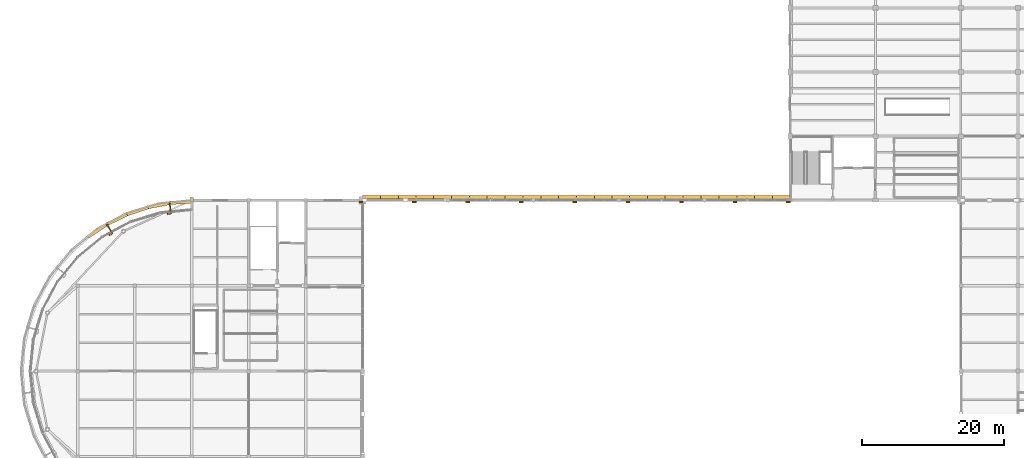
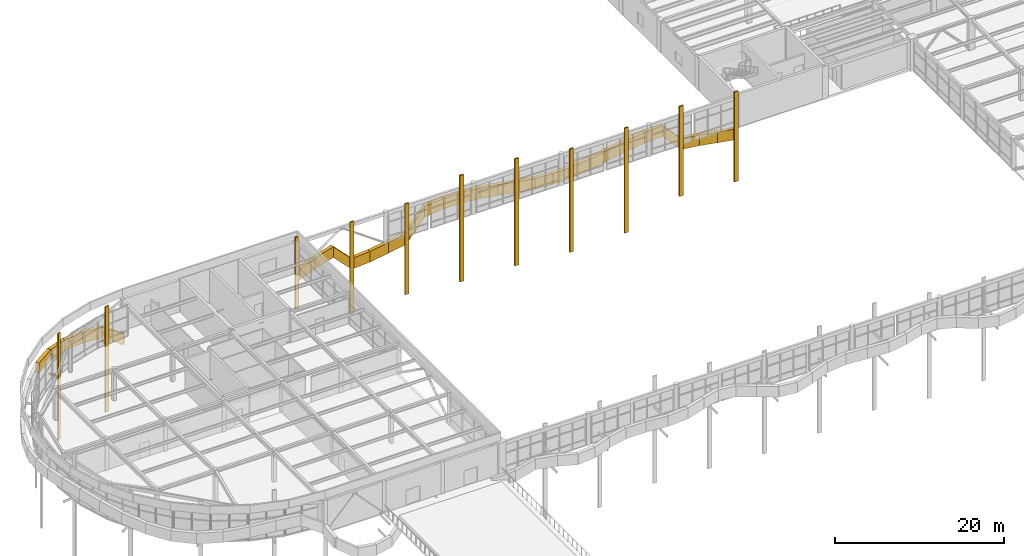
# One storey, part 54 of 63: 45 coverings.
"""IFC4 building model written with IfcOpenShell, lengths in metres."""

from ifc_helpers import new_model, si_unit, direction, frame, frame_2d, origin, place, context, subcontext, project, spatial, polyline, rectangle, outline, extrude, material, layer, layer_set, type_object, element, save


model = new_model("IFC4")

# Units and contexts
model_context = context("Model", 3, precision=1e-05, world=origin(), true_north=direction((0.0, 1.0)))
body_context = subcontext(model_context, "Body", "Model", "MODEL_VIEW")
ifc_project = project(units=[si_unit("LENGTHUNIT", "METRE"), si_unit("AREAUNIT", "SQUARE_METRE"), si_unit("VOLUMEUNIT", "CUBIC_METRE"), si_unit("PLANEANGLEUNIT", "RADIAN"), si_unit("MASSUNIT", "GRAM", prefix="KILO")], contexts=[model_context])

# Site, building, storey
site_placement = place(None, origin())
site = spatial("IfcSite", under=ifc_project, at=site_placement, CompositionType="ELEMENT")
building_placement = place(site_placement, origin())
building = spatial("IfcBuilding", under=site, at=building_placement, Name="Keelwater Ferry Terminal", CompositionType="ELEMENT")
storey_placement = place(building_placement, frame((0.0, 0.0, 10.199951171875)))
storey = spatial("IfcBuildingStorey", under=building, at=storey_placement, Name="L02", CompositionType="ELEMENT", Elevation=10.199951171875)

# Coverings
ifc_material = material(Name="Matte white architectural aluminium fascia ribbon", Category="aluminium")
ifc_layer = layer(ifc_material, 0.1201171875)
ifc_layer_set = layer_set([ifc_layer], Name="Matte white architectural aluminium fascia ribbon")
covering_type = type_object("IfcCoveringType", Name="RB-WHT Matte White Fascia Ribbon", PredefinedType="CLADDING", material=ifc_layer_set)
covering_1_placement = place(storey_placement, frame((108.02490234375, 90.419921875, -2.016845703125), z_axis=(0.0, 0.0, 1.0), x_axis=(-1.0, 0.0, 0.0)))
element("IfcCovering", 1, at=covering_1_placement, inside=storey, type_object=covering_type, Name="Concourse Upper Wave Fascia Ribbon 3", PredefinedType="CLADDING", context=body_context, shape_type="SweptSolid", body=[
    extrude(outline(polyline([(0.0, 0.0), (2.5498046875, 0.432861328125), (2.5498046875, 1.98291015625), (0.0, 1.5498046875), (0.0, 0.0)])), frame((0.0, 0.239990234375, 0.0), z_axis=(0.0, -1.0, 0.0), x_axis=(1.0, 0.0, 0.0)), (0.0, 0.0, 1.0), 0.47998046875),
])
covering_2_placement = place(storey_placement, frame((108.02490234375, 89.75, -7.6728515625), z_axis=(0.0, 0.0, 1.0), x_axis=(-1.0, 0.0, 0.0)))
element("IfcCovering", 2, at=covering_2_placement, inside=storey, type_object=covering_type, Name="Ribbon Recessed Support Mullion 11", PredefinedType="CLADDING", context=body_context, shape_type="SweptSolid", body=[
    extrude(outline(polyline([(0.0, 0.0), (0.52978515625, 0.0), (0.52978515625, 13.011962890625), (0.0, 13.011962890625), (0.0, 0.0)])), frame((0.0, 0.10009765625, 0.0), z_axis=(0.0, -1.0, 0.0), x_axis=(1.0, 0.0, 0.0)), (0.0, 0.0, 1.0), 0.199951171875),
])
covering_3_placement = place(storey_placement, frame((105.52490234375, 90.419921875, -1.583984375), z_axis=(0.0, 0.0, 1.0), x_axis=(-1.0, 0.0, 0.0)))
element("IfcCovering", 3, at=covering_3_placement, inside=storey, type_object=covering_type, Name="Concourse Upper Wave Fascia Ribbon 14", PredefinedType="CLADDING", context=body_context, shape_type="SweptSolid", body=[
    extrude(outline(polyline([(0.0, 0.0), (2.5498046875, 0.447021484375), (2.5498046875, 1.9970703125), (0.0, 1.550048828125), (0.0, 0.0)])), frame((0.0, 0.239990234375, 0.0), z_axis=(0.0, -1.0, 0.0), x_axis=(1.0, 0.0, 0.0)), (0.0, 0.0, 1.0), 0.47998046875),
])
covering_4_placement = place(storey_placement, frame((103.02490234375, 90.419921875, -1.136962890625), z_axis=(0.0, 0.0, 1.0), x_axis=(-1.0, 0.0, 0.0)))
element("IfcCovering", 4, at=covering_4_placement, inside=storey, type_object=covering_type, Name="Concourse Upper Wave Fascia Ribbon 18", PredefinedType="CLADDING", context=body_context, shape_type="SweptSolid", body=[
    extrude(outline(polyline([(0.0, 0.0), (2.5498046875, 0.3310546875), (2.5498046875, 1.881103515625), (0.0, 1.550048828125), (0.0, 0.0)])), frame((0.0, 0.239990234375, 0.0), z_axis=(0.0, -1.0, 0.0), x_axis=(1.0, 0.0, 0.0)), (0.0, 0.0, 1.0), 0.47998046875),
])
covering_5_placement = place(storey_placement, frame((100.52490234375, 90.419921875, -0.805908203125), z_axis=(0.0, 0.0, 1.0), x_axis=(-1.0, 0.0, 0.0)))
element("IfcCovering", 5, at=covering_5_placement, inside=storey, type_object=covering_type, Name="Concourse Upper Wave Fascia Ribbon 22", PredefinedType="CLADDING", context=body_context, shape_type="SweptSolid", body=[
    extrude(outline(polyline([(0.0, 0.0), (2.5498046875, 2.781005859375), (2.5498046875, 4.3310546875), (0.0, 1.550048828125), (0.0, 0.0)])), frame((0.0, 0.239990234375, 0.0), z_axis=(0.0, -1.0, 0.0), x_axis=(1.0, 0.0, 0.0)), (0.0, 0.0, 1.0), 0.47998046875),
])
covering_6_placement = place(storey_placement, frame((100.52490234375, 89.75, -7.136962890625), z_axis=(0.0, 0.0, 1.0), x_axis=(-1.0, 0.0, 0.0)))
element("IfcCovering", 6, at=covering_6_placement, inside=storey, type_object=covering_type, Name="Ribbon Recessed Support Mullion 30", PredefinedType="CLADDING", context=body_context, shape_type="SweptSolid", body=[
    extrude(outline(polyline([(0.0, 0.0), (0.52978515625, 0.0), (0.52978515625, 13.01806640625), (0.0, 13.01806640625), (0.0, 0.0)])), frame((0.0, 0.10009765625, 0.0), z_axis=(0.0, -1.0, 0.0), x_axis=(1.0, 0.0, 0.0)), (0.0, 0.0, 1.0), 0.199951171875),
])
covering_7_placement = place(storey_placement, frame((98.02490234375, 90.419921875, 1.84716796875), z_axis=(0.0, 0.0, 1.0), x_axis=(-1.0, 0.0, 0.0)))
element("IfcCovering", 7, at=covering_7_placement, inside=storey, type_object=covering_type, Name="Concourse Upper Wave Fascia Ribbon 33", PredefinedType="CLADDING", context=body_context, shape_type="SweptSolid", body=[
    extrude(outline(polyline([(0.0, 0.1279296875), (2.5498046875, 0.0), (2.5498046875, 1.5498046875), (0.0, 1.677978515625), (0.0, 0.1279296875)])), frame((0.0, 0.239990234375, 0.0), z_axis=(0.0, -1.0, 0.0), x_axis=(1.0, 0.0, 0.0)), (0.0, 0.0, 1.0), 0.47998046875),
])
covering_8_placement = place(storey_placement, frame((95.52490234375, 90.419921875, 1.509033203125), z_axis=(0.0, 0.0, 1.0), x_axis=(-1.0, 0.0, 0.0)))
element("IfcCovering", 8, at=covering_8_placement, inside=storey, type_object=covering_type, Name="Concourse Upper Wave Fascia Ribbon 37", PredefinedType="CLADDING", context=body_context, shape_type="SweptSolid", body=[
    extrude(outline(polyline([(0.0, 0.338134765625), (2.5498046875, 0.0), (2.5498046875, 1.550048828125), (0.0, 1.887939453125), (0.0, 0.338134765625)])), frame((0.0, 0.239990234375, 0.0), z_axis=(0.0, -1.0, 0.0), x_axis=(1.0, 0.0, 0.0)), (0.0, 0.0, 1.0), 0.47998046875),
])
covering_9_placement = place(storey_placement, frame((93.02490234375, 90.419921875, 1.06005859375), z_axis=(0.0, 0.0, 1.0), x_axis=(-1.0, 0.0, 0.0)))
element("IfcCovering", 9, at=covering_9_placement, inside=storey, type_object=covering_type, Name="Concourse Upper Wave Fascia Ribbon 41", PredefinedType="CLADDING", context=body_context, shape_type="SweptSolid", body=[
    extrude(outline(polyline([(0.0, 0.448974609375), (2.5498046875, 0.0), (2.5498046875, 1.550048828125), (0.0, 1.9990234375), (0.0, 0.448974609375)])), frame((0.0, 0.239990234375, 0.0), z_axis=(0.0, -1.0, 0.0), x_axis=(1.0, 0.0, 0.0)), (0.0, 0.0, 1.0), 0.47998046875),
])
covering_10_placement = place(storey_placement, frame((93.02490234375, 89.75, -9.802001953125), z_axis=(0.0, 0.0, 1.0), x_axis=(-1.0, 0.0, 0.0)))
element("IfcCovering", 10, at=covering_10_placement, inside=storey, type_object=covering_type, Name="Ribbon Recessed Support Mullion 49", PredefinedType="CLADDING", context=body_context, shape_type="SweptSolid", body=[
    extrude(outline(polyline([(0.0, 0.0), (0.52978515625, 0.0), (0.52978515625, 15.172119140625), (0.0, 15.172119140625), (0.0, 0.0)])), frame((0.0, 0.10009765625, 0.0), z_axis=(0.0, -1.0, 0.0), x_axis=(1.0, 0.0, 0.0)), (0.0, 0.0, 1.0), 0.199951171875),
])
covering_11_placement = place(storey_placement, frame((90.52490234375, 90.419921875, 0.630126953125), z_axis=(0.0, 0.0, 1.0), x_axis=(-1.0, 0.0, 0.0)))
element("IfcCovering", 11, at=covering_11_placement, inside=storey, type_object=covering_type, Name="Concourse Upper Wave Fascia Ribbon 52", PredefinedType="CLADDING", context=body_context, shape_type="SweptSolid", body=[
    extrude(outline(polyline([(0.0, 0.429931640625), (2.5498046875, 0.0), (2.5498046875, 1.5498046875), (0.0, 1.97998046875), (0.0, 0.429931640625)])), frame((0.0, 0.239990234375, 0.0), z_axis=(0.0, -1.0, 0.0), x_axis=(1.0, 0.0, 0.0)), (0.0, 0.0, 1.0), 0.47998046875),
])
covering_12_placement = place(storey_placement, frame((88.02490234375, 90.419921875, 0.343017578125), z_axis=(0.0, 0.0, 1.0), x_axis=(-1.0, 0.0, 0.0)))
element("IfcCovering", 12, at=covering_12_placement, inside=storey, type_object=covering_type, Name="Concourse Upper Wave Fascia Ribbon 56", PredefinedType="CLADDING", context=body_context, shape_type="SweptSolid", body=[
    extrude(outline(polyline([(0.0, 0.287109375), (2.5498046875, 0.0), (2.5498046875, 1.550048828125), (0.0, 1.8369140625), (0.0, 0.287109375)])), frame((0.0, 0.239990234375, 0.0), z_axis=(0.0, -1.0, 0.0), x_axis=(1.0, 0.0, 0.0)), (0.0, 0.0, 1.0), 0.47998046875),
])
covering_13_placement = place(storey_placement, frame((85.52490234375, 90.419921875, 0.283935546875), z_axis=(0.0, 0.0, 1.0), x_axis=(-1.0, 0.0, 0.0)))
element("IfcCovering", 13, at=covering_13_placement, inside=storey, type_object=covering_type, Name="Concourse Upper Wave Fascia Ribbon 60", PredefinedType="CLADDING", context=body_context, shape_type="SweptSolid", body=[
    extrude(outline(polyline([(0.0, 0.05908203125), (2.5498046875, 0.0), (2.5498046875, 1.550048828125), (0.0, 1.609130859375), (0.0, 0.05908203125)])), frame((0.0, 0.239990234375, 0.0), z_axis=(0.0, -1.0, 0.0), x_axis=(1.0, 0.0, 0.0)), (0.0, 0.0, 1.0), 0.47998046875),
])
covering_14_placement = place(storey_placement, frame((85.52490234375, 89.75, -9.949951171875), z_axis=(0.0, 0.0, 1.0), x_axis=(-1.0, 0.0, 0.0)))
element("IfcCovering", 14, at=covering_14_placement, inside=storey, type_object=covering_type, Name="Ribbon Recessed Support Mullion 69", PredefinedType="CLADDING", context=body_context, shape_type="SweptSolid", body=[
    extrude(outline(polyline([(0.0, 0.0), (0.52978515625, 0.0), (0.52978515625, 14.927978515625), (0.0, 14.927978515625), (0.0, 0.0)])), frame((0.0, 0.10009765625, 0.0), z_axis=(0.0, -1.0, 0.0), x_axis=(1.0, 0.0, 0.0)), (0.0, 0.0, 1.0), 0.199951171875),
])
covering_15_placement = place(storey_placement, frame((83.02490234375, 90.419921875, 0.283935546875), z_axis=(0.0, 0.0, 1.0), x_axis=(-1.0, 0.0, 0.0)))
element("IfcCovering", 15, at=covering_15_placement, inside=storey, type_object=covering_type, Name="Concourse Upper Wave Fascia Ribbon 72", PredefinedType="CLADDING", context=body_context, shape_type="SweptSolid", body=[
    extrude(outline(polyline([(0.0, 0.0), (2.5498046875, 0.18408203125), (2.5498046875, 1.734130859375), (0.0, 1.550048828125), (0.0, 0.0)])), frame((0.0, 0.239990234375, 0.0), z_axis=(0.0, -1.0, 0.0), x_axis=(1.0, 0.0, 0.0)), (0.0, 0.0, 1.0), 0.47998046875),
])
covering_16_placement = place(storey_placement, frame((80.52490234375, 90.419921875, 0.468017578125), z_axis=(0.0, 0.0, 1.0), x_axis=(-1.0, 0.0, 0.0)))
element("IfcCovering", 16, at=covering_16_placement, inside=storey, type_object=covering_type, Name="Concourse Upper Wave Fascia Ribbon 75", PredefinedType="CLADDING", context=body_context, shape_type="SweptSolid", body=[
    extrude(outline(polyline([(0.0, 0.0), (2.5498046875, 0.375), (2.5498046875, 1.925048828125), (0.0, 1.550048828125), (0.0, 0.0)])), frame((0.0, 0.239990234375, 0.0), z_axis=(0.0, -1.0, 0.0), x_axis=(1.0, 0.0, 0.0)), (0.0, 0.0, 1.0), 0.47998046875),
])
covering_17_placement = place(storey_placement, frame((78.02490234375, 90.419921875, 0.843017578125), z_axis=(0.0, 0.0, 1.0), x_axis=(-1.0, 0.0, 0.0)))
element("IfcCovering", 17, at=covering_17_placement, inside=storey, type_object=covering_type, Name="Concourse Upper Wave Fascia Ribbon 78", PredefinedType="CLADDING", context=body_context, shape_type="SweptSolid", body=[
    extrude(outline(polyline([(0.0, 0.0), (2.5498046875, 0.45703125), (2.5498046875, 2.007080078125), (0.0, 1.550048828125), (0.0, 0.0)])), frame((0.0, 0.239990234375, 0.0), z_axis=(0.0, -1.0, 0.0), x_axis=(1.0, 0.0, 0.0)), (0.0, 0.0, 1.0), 0.47998046875),
])
covering_18_placement = place(storey_placement, frame((78.02490234375, 89.75, -9.262939453125), z_axis=(0.0, 0.0, 1.0), x_axis=(-1.0, 0.0, 0.0)))
element("IfcCovering", 18, at=covering_18_placement, inside=storey, type_object=covering_type, Name="Ribbon Recessed Support Mullion 87", PredefinedType="CLADDING", context=body_context, shape_type="SweptSolid", body=[
    extrude(outline(polyline([(0.0, 0.0), (0.52978515625, 0.0), (0.52978515625, 15.44091796875), (0.0, 15.44091796875), (0.0, 0.0)])), frame((0.0, 0.10009765625, 0.0), z_axis=(0.0, -1.0, 0.0), x_axis=(1.0, 0.0, 0.0)), (0.0, 0.0, 1.0), 0.199951171875),
])
covering_19_placement = place(storey_placement, frame((75.52490234375, 90.419921875, 1.300048828125), z_axis=(0.0, 0.0, 1.0), x_axis=(-1.0, 0.0, 0.0)))
element("IfcCovering", 19, at=covering_19_placement, inside=storey, type_object=covering_type, Name="Concourse Upper Wave Fascia Ribbon 90", PredefinedType="CLADDING", context=body_context, shape_type="SweptSolid", body=[
    extrude(outline(polyline([(0.0, 0.0), (2.5498046875, 0.406005859375), (2.5498046875, 1.9560546875), (0.0, 1.550048828125), (0.0, 0.0)])), frame((0.0, 0.239990234375, 0.0), z_axis=(0.0, -1.0, 0.0), x_axis=(1.0, 0.0, 0.0)), (0.0, 0.0, 1.0), 0.47998046875),
])
covering_20_placement = place(storey_placement, frame((73.02490234375, 90.419921875, 1.7060546875), z_axis=(0.0, 0.0, 1.0), x_axis=(-1.0, 0.0, 0.0)))
element("IfcCovering", 20, at=covering_20_placement, inside=storey, type_object=covering_type, Name="Concourse Upper Wave Fascia Ribbon 94", PredefinedType="CLADDING", context=body_context, shape_type="SweptSolid", body=[
    extrude(outline(polyline([(0.0, 0.0), (2.5498046875, 0.238037109375), (2.5498046875, 1.7880859375), (0.0, 1.550048828125), (0.0, 0.0)])), frame((0.0, 0.239990234375, 0.0), z_axis=(0.0, -1.0, 0.0), x_axis=(1.0, 0.0, 0.0)), (0.0, 0.0, 1.0), 0.47998046875),
])
covering_21_placement = place(storey_placement, frame((70.52490234375, 90.419921875, 1.944091796875), z_axis=(0.0, 0.0, 1.0), x_axis=(-1.0, 0.0, 0.0)))
element("IfcCovering", 21, at=covering_21_placement, inside=storey, type_object=covering_type, Name="Concourse Upper Wave Fascia Ribbon 98", PredefinedType="CLADDING", context=body_context, shape_type="SweptSolid", body=[
    extrude(outline(polyline([(0.0, 0.0), (2.5498046875, 0.0), (2.5498046875, 1.550048828125), (0.0, 1.550048828125), (0.0, 0.0)])), frame((0.0, 0.239990234375, 0.0), z_axis=(0.0, -1.0, 0.0), x_axis=(1.0, 0.0, 0.0)), (0.0, 0.0, 1.0), 0.47998046875),
])
covering_22_placement = place(storey_placement, frame((70.52490234375, 89.75, -8.969970703125), z_axis=(0.0, 0.0, 1.0), x_axis=(-1.0, 0.0, 0.0)))
element("IfcCovering", 22, at=covering_22_placement, inside=storey, type_object=covering_type, Name="Ribbon Recessed Support Mullion 106", PredefinedType="CLADDING", context=body_context, shape_type="SweptSolid", body=[
    extrude(outline(polyline([(0.0, 0.0), (0.52978515625, 0.0), (0.52978515625, 15.383056640625), (0.0, 15.383056640625), (0.0, 0.0)])), frame((0.0, 0.10009765625, 0.0), z_axis=(0.0, -1.0, 0.0), x_axis=(1.0, 0.0, 0.0)), (0.0, 0.0, 1.0), 0.199951171875),
])
covering_23_placement = place(storey_placement, frame((68.02490234375, 90.419921875, 1.7060546875), z_axis=(0.0, 0.0, 1.0), x_axis=(-1.0, 0.0, 0.0)))
element("IfcCovering", 23, at=covering_23_placement, inside=storey, type_object=covering_type, Name="Concourse Upper Wave Fascia Ribbon 109", PredefinedType="CLADDING", context=body_context, shape_type="SweptSolid", body=[
    extrude(outline(polyline([(0.0, 0.238037109375), (2.5498046875, 0.0), (2.5498046875, 1.550048828125), (0.0, 1.7880859375), (0.0, 0.238037109375)])), frame((0.0, 0.239990234375, 0.0), z_axis=(0.0, -1.0, 0.0), x_axis=(1.0, 0.0, 0.0)), (0.0, 0.0, 1.0), 0.47998046875),
])
covering_24_placement = place(storey_placement, frame((65.52490234375, 90.419921875, -1.363037109375), z_axis=(0.0, 0.0, 1.0), x_axis=(-1.0, 0.0, 0.0)))
element("IfcCovering", 24, at=covering_24_placement, inside=storey, type_object=covering_type, Name="Concourse Upper Wave Fascia Ribbon 113", PredefinedType="CLADDING", context=body_context, shape_type="SweptSolid", body=[
    extrude(outline(polyline([(0.0, 3.069091796875), (2.5498046875, 0.0), (2.5498046875, 1.550048828125), (0.0, 4.619140625), (0.0, 3.069091796875)])), frame((0.0, 0.239990234375, 0.0), z_axis=(0.0, -1.0, 0.0), x_axis=(1.0, 0.0, 0.0)), (0.0, 0.0, 1.0), 0.47998046875),
])
covering_25_placement = place(storey_placement, frame((63.02490234375, 90.419921875, -1.81884765625), z_axis=(0.0, 0.0, 1.0), x_axis=(-1.0, 0.0, 0.0)))
element("IfcCovering", 25, at=covering_25_placement, inside=storey, type_object=covering_type, Name="Concourse Upper Wave Fascia Ribbon 117", PredefinedType="CLADDING", context=body_context, shape_type="SweptSolid", body=[
    extrude(outline(polyline([(0.0, 0.455810546875), (2.5498046875, 0.0), (2.5498046875, 1.5498046875), (0.0, 2.005859375), (0.0, 0.455810546875)])), frame((0.0, 0.239990234375, 0.0), z_axis=(0.0, -1.0, 0.0), x_axis=(1.0, 0.0, 0.0)), (0.0, 0.0, 1.0), 0.47998046875),
])
covering_26_placement = place(storey_placement, frame((63.02490234375, 89.75, -8.203857421875), z_axis=(0.0, 0.0, 1.0), x_axis=(-1.0, 0.0, 0.0)))
element("IfcCovering", 26, at=covering_26_placement, inside=storey, type_object=covering_type, Name="Ribbon Recessed Support Mullion 125", PredefinedType="CLADDING", context=body_context, shape_type="SweptSolid", body=[
    extrude(outline(polyline([(0.0, 0.0), (0.52978515625, 0.0), (0.52978515625, 13.1240234375), (0.0, 13.1240234375), (0.0, 0.0)])), frame((0.0, 0.10009765625, 0.0), z_axis=(0.0, -1.0, 0.0), x_axis=(1.0, 0.0, 0.0)), (0.0, 0.0, 1.0), 0.199951171875),
])
covering_27_placement = place(storey_placement, frame((60.52490234375, 90.419921875, -2.195068359375), z_axis=(0.0, 0.0, 1.0), x_axis=(-1.0, 0.0, 0.0)))
element("IfcCovering", 27, at=covering_27_placement, inside=storey, type_object=covering_type, Name="Concourse Upper Wave Fascia Ribbon 128", PredefinedType="CLADDING", context=body_context, shape_type="SweptSolid", body=[
    extrude(outline(polyline([(0.0, 0.376220703125), (2.5498046875, 0.0), (2.5498046875, 1.550048828125), (0.0, 1.926025390625), (0.0, 0.376220703125)])), frame((0.0, 0.239990234375, 0.0), z_axis=(0.0, -1.0, 0.0), x_axis=(1.0, 0.0, 0.0)), (0.0, 0.0, 1.0), 0.47998046875),
])
covering_28_placement = place(storey_placement, frame((58.02490234375, 90.419921875, -2.37890625), z_axis=(0.0, 0.0, 1.0), x_axis=(-1.0, 0.0, 0.0)))
element("IfcCovering", 28, at=covering_28_placement, inside=storey, type_object=covering_type, Name="Concourse Upper Wave Fascia Ribbon 132", PredefinedType="CLADDING", context=body_context, shape_type="SweptSolid", body=[
    extrude(outline(polyline([(0.0, 0.183837890625), (2.5498046875, 0.0), (2.5498046875, 1.550048828125), (0.0, 1.73388671875), (0.0, 0.183837890625)])), frame((0.0, 0.239990234375, 0.0), z_axis=(0.0, -1.0, 0.0), x_axis=(1.0, 0.0, 0.0)), (0.0, 0.0, 1.0), 0.47998046875),
])
covering_29_placement = place(storey_placement, frame((55.52490234375, 90.419921875, -2.37890625), z_axis=(0.0, 0.0, 1.0), x_axis=(-1.0, 0.0, 0.0)))
element("IfcCovering", 29, at=covering_29_placement, inside=storey, type_object=covering_type, Name="Concourse Upper Wave Fascia Ribbon 136", PredefinedType="CLADDING", context=body_context, shape_type="SweptSolid", body=[
    extrude(outline(polyline([(0.0, 0.0), (2.5498046875, 2.614990234375), (2.5498046875, 4.1650390625), (0.0, 1.550048828125), (0.0, 0.0)])), frame((0.0, 0.239990234375, 0.0), z_axis=(0.0, -1.0, 0.0), x_axis=(1.0, 0.0, 0.0)), (0.0, 0.0, 1.0), 0.47998046875),
])
covering_30_placement = place(storey_placement, frame((55.52490234375, 89.75, -8.365966796875), z_axis=(0.0, 0.0, 1.0), x_axis=(-1.0, 0.0, 0.0)))
element("IfcCovering", 30, at=covering_30_placement, inside=storey, type_object=covering_type, Name="Ribbon Recessed Support Mullion 145", PredefinedType="CLADDING", context=body_context, shape_type="SweptSolid", body=[
    extrude(outline(polyline([(0.0, 0.0), (0.52978515625, 0.0), (0.52978515625, 13.2861328125), (0.0, 13.2861328125), (0.0, 0.0)])), frame((0.0, 0.10009765625, 0.0), z_axis=(0.0, -1.0, 0.0), x_axis=(1.0, 0.0, 0.0)), (0.0, 0.0, 1.0), 0.199951171875),
])
covering_31_placement = place(storey_placement, frame((53.02490234375, 90.419921875, -0.537841796875), z_axis=(0.0, 0.0, 1.0), x_axis=(-1.0, 0.0, 0.0)))
element("IfcCovering", 31, at=covering_31_placement, inside=storey, type_object=covering_type, Name="Concourse Upper Wave Fascia Ribbon 148", PredefinedType="CLADDING", context=body_context, shape_type="SweptSolid", body=[
    extrude(outline(polyline([(0.0, 0.77392578125), (2.5498046875, 0.0), (2.5498046875, 1.5498046875), (0.0, 2.323974609375), (0.0, 0.77392578125)])), frame((0.0, 0.239990234375, 0.0), z_axis=(0.0, -1.0, 0.0), x_axis=(1.0, 0.0, 0.0)), (0.0, 0.0, 1.0), 0.47998046875),
])
covering_32_placement = place(storey_placement, frame((50.52490234375, 90.419921875, -1.60205078125), z_axis=(0.0, 0.0, 1.0), x_axis=(-1.0, 0.0, 0.0)))
element("IfcCovering", 32, at=covering_32_placement, inside=storey, type_object=covering_type, Name="Concourse Upper Wave Fascia Ribbon 152", PredefinedType="CLADDING", context=body_context, shape_type="SweptSolid", body=[
    extrude(outline(polyline([(0.0, 1.064208984375), (2.5498046875, 0.0), (2.5498046875, 1.550048828125), (0.0, 2.614013671875), (0.0, 1.064208984375)])), frame((0.0, 0.239990234375, 0.0), z_axis=(0.0, -1.0, 0.0), x_axis=(1.0, 0.0, 0.0)), (0.0, 0.0, 1.0), 0.47998046875),
])
covering_33_placement = place(storey_placement, frame((48.02490234375, 89.75, -5.050048828125), z_axis=(0.0, 0.0, 1.0), x_axis=(-0.999910712973, 0.013362862063, 0.0)))
element("IfcCovering", 33, at=covering_33_placement, inside=storey, type_object=covering_type, Name="Ribbon Recessed Support Mullion 155", PredefinedType="CLADDING", context=body_context, shape_type="SweptSolid", body=[
    extrude(outline(polyline([(0.0, 0.0), (0.52978515625, 0.0), (0.52978515625, 10.38916015625), (0.0, 10.38916015625), (0.0, 0.0)])), frame((0.0, 0.10009765625, 0.0), z_axis=(0.0, -1.0, 0.0), x_axis=(1.0, 0.0, 0.0)), (0.0, 0.0, 1.0), 0.199951171875),
])
covering_34_placement = place(storey_placement, frame((24.0, 90.375, -1.89404296875), z_axis=(0.0, 0.0, 1.0), x_axis=(0.0, -1.0, 0.0)))
element("IfcCovering", 34, at=covering_34_placement, inside=storey, type_object=covering_type, Name="Concourse Upper Wave Fascia Ribbon 157", PredefinedType="CLADDING", context=body_context, shape_type="SweptSolid", body=[
    extrude(outline(polyline([(0.0, 0.0009765625), (0.580078125, 0.0), (0.580078125, 1.550048828125), (0.0, 1.551025390625), (0.0, 0.0009765625)])), frame((0.0, 0.239990234375, 0.0), z_axis=(0.0, -1.0, 0.0), x_axis=(1.0, 0.0, 0.0)), (0.0, 0.0, 1.0), 0.47998046875),
])
covering_35_placement = place(storey_placement, frame((24.02490234375, 89.822021484375, -1.89404296875), z_axis=(0.0, 0.0, 1.0), x_axis=(-0.997839082041, -0.065705147067, 0.0)))
element("IfcCovering", 35, at=covering_35_placement, inside=storey, type_object=covering_type, Name="Concourse Upper Wave Fascia Ribbon 161", PredefinedType="CLADDING", context=body_context, shape_type="SweptSolid", body=[
    extrude(outline(polyline([(0.0, 0.0), (3.165771484375, 2.239990234375), (3.165771484375, 3.7900390625), (0.0, 1.550048828125), (0.0, 0.0)])), frame((0.0, 0.239990234375, 0.0), z_axis=(0.0, -1.0, 0.0), x_axis=(1.0, 0.0, 0.0)), (0.0, 0.0, 1.0), 0.47998046875),
])
covering_36_placement = place(storey_placement, frame((20.916015625, 89.62109375, 0.345947265625), z_axis=(0.0, 0.0, 1.0), x_axis=(-0.98076407959, -0.195196875454, 0.0)))
element("IfcCovering", 36, at=covering_36_placement, inside=storey, type_object=covering_type, Name="Concourse Upper Wave Fascia Ribbon 165", PredefinedType="CLADDING", context=body_context, shape_type="SweptSolid", body=[
    extrude(outline(polyline([(0.0, 0.0), (3.1669921875, 0.634033203125), (3.1669921875, 2.18408203125), (0.0, 1.550048828125), (0.0, 0.0)])), frame((0.0, 0.239990234375, 0.0), z_axis=(0.0, -1.0, 0.0), x_axis=(1.0, 0.0, 0.0)), (0.0, 0.0, 1.0), 0.47998046875),
])
covering_37_placement = place(storey_placement, frame((20.89111328125, 89.615966796875, 0.98095703125), z_axis=(0.0, 0.0, 1.0), x_axis=(0.130289043397, -0.991476053756, 0.0)))
element("IfcCovering", 37, at=covering_37_placement, inside=storey, type_object=covering_type, Name="Ribbon Horizontal Tie Bracket 169", PredefinedType="CLADDING", context=body_context, shape_type="SweptSolid", body=[
    extrude(rectangle(XDim=1.450439453125, YDim=0.159912109375, at=frame_2d((0.72509765625, 0.0))), origin(), (0.0, 0.0, 1.0), 0.280029296875),
])
covering_38_placement = place(storey_placement, frame((20.89111328125, 89.615966796875, -0.25), z_axis=(0.0, 0.0, 1.0), x_axis=(0.130289043397, -0.991476053756, 0.0)))
element("IfcCovering", 38, at=covering_38_placement, inside=storey, type_object=covering_type, Name="Ribbon Slab Tie Bracket 171", PredefinedType="CLADDING", context=body_context, shape_type="SweptSolid", body=[
    extrude(rectangle(XDim=1.450439453125, YDim=0.159912109375, at=frame_2d((0.72509765625, 0.0))), origin(), (0.0, 0.0, 1.0), 0.300048828125),
])
covering_39_placement = place(storey_placement, frame((21.10498046875, 88.18310546875, -9.51806640625), z_axis=(0.0, 0.0, 1.0), x_axis=(-0.980933331358, -0.19434453795, 0.0)))
element("IfcCovering", 39, at=covering_39_placement, inside=storey, type_object=covering_type, Name="Ribbon Recessed Support Mullion 173", PredefinedType="CLADDING", context=body_context, shape_type="SweptSolid", body=[
    extrude(outline(polyline([(0.0, 0.0), (0.530029296875, 0.0), (0.530029296875, 15.251220703125), (0.0, 15.251220703125), (0.0, 0.0)])), frame((0.0, 0.10009765625, 0.0), z_axis=(0.0, -1.0, 0.0), x_axis=(1.0, 0.0, 0.0)), (0.0, 0.0, 1.0), 0.199951171875),
])
covering_40_placement = place(storey_placement, frame((17.85888671875, 89.01611328125, 0.97998046875), z_axis=(0.0, 0.0, 1.0), x_axis=(-0.94701262585, -0.321196336342, 0.0)))
element("IfcCovering", 40, at=covering_40_placement, inside=storey, type_object=covering_type, Name="Concourse Upper Wave Fascia Ribbon 176", PredefinedType="CLADDING", context=body_context, shape_type="SweptSolid", body=[
    extrude(outline(polyline([(0.0, 0.0), (3.16650390625, 0.55908203125), (3.16650390625, 2.109130859375), (0.0, 1.550048828125), (0.0, 0.0)])), frame((0.0, 0.239990234375, 0.0), z_axis=(0.0, -1.0, 0.0), x_axis=(1.0, 0.0, 0.0)), (0.0, 0.0, 1.0), 0.47998046875),
])
covering_41_placement = place(storey_placement, frame((14.906005859375, 88.01806640625, 1.5390625), z_axis=(0.0, 0.0, 1.0), x_axis=(-0.896790782987, -0.442454846905, 0.0)))
element("IfcCovering", 41, at=covering_41_placement, inside=storey, type_object=covering_type, Name="Concourse Upper Wave Fascia Ribbon 180", PredefinedType="CLADDING", context=body_context, shape_type="SweptSolid", body=[
    extrude(outline(polyline([(0.0, 0.0), (3.16455078125, 0.3740234375), (3.16455078125, 1.924072265625), (0.0, 1.550048828125), (0.0, 0.0)])), frame((0.0, 0.239990234375, 0.0), z_axis=(0.0, -1.0, 0.0), x_axis=(1.0, 0.0, 0.0)), (0.0, 0.0, 1.0), 0.47998046875),
])
covering_42_placement = place(storey_placement, frame((12.111083984375, 86.64306640625, 1.9130859375), z_axis=(0.0, 0.0, 1.0), x_axis=(-0.831516144614, -0.55550058618, 0.0)))
element("IfcCovering", 42, at=covering_42_placement, inside=storey, type_object=covering_type, Name="Concourse Upper Wave Fascia Ribbon 184", PredefinedType="CLADDING", context=body_context, shape_type="SweptSolid", body=[
    extrude(outline(polyline([(0.0, 0.0), (3.16650390625, 0.02490234375), (3.16650390625, 1.574951171875), (0.0, 1.550048828125), (0.0, 0.0)])), frame((0.0, 0.239990234375, 0.0), z_axis=(0.0, -1.0, 0.0), x_axis=(1.0, 0.0, 0.0)), (0.0, 0.0, 1.0), 0.47998046875),
])
covering_43_placement = place(storey_placement, frame((12.090087890625, 86.62890625, 2.548095703125), z_axis=(0.0, 0.0, 1.0), x_axis=(0.499887636653, -0.866090267075, 0.0)))
element("IfcCovering", 43, at=covering_43_placement, inside=storey, type_object=covering_type, Name="Ribbon Horizontal Tie Bracket 187", PredefinedType="CLADDING", context=body_context, shape_type="SweptSolid", body=[
    extrude(rectangle(XDim=1.449951171875, YDim=0.159912109375, at=frame_2d((0.72509765625, 0.0))), origin(), (0.0, 0.0, 1.0), 0.280029296875),
])
covering_44_placement = place(storey_placement, frame((12.090087890625, 86.62890625, -0.25), z_axis=(0.0, 0.0, 1.0), x_axis=(0.499887636653, -0.866090267075, 0.0)))
element("IfcCovering", 44, at=covering_44_placement, inside=storey, type_object=covering_type, Name="Ribbon Slab Tie Bracket 190", PredefinedType="CLADDING", context=body_context, shape_type="SweptSolid", body=[
    extrude(rectangle(XDim=1.449951171875, YDim=0.159912109375, at=frame_2d((0.72509765625, 0.0))), origin(), (0.0, 0.0, 1.0), 0.300048828125),
])
covering_45_placement = place(storey_placement, frame((12.8359375, 85.386962890625, -8.93505859375), z_axis=(0.0, 0.0, 1.0), x_axis=(-0.832050294338, -0.554700196225, 0.0)))
element("IfcCovering", 45, at=covering_45_placement, inside=storey, type_object=covering_type, Name="Ribbon Recessed Support Mullion 192", PredefinedType="CLADDING", context=body_context, shape_type="SweptSolid", body=[
    extrude(outline(polyline([(0.0, 0.0), (0.530029296875, 0.0), (0.530029296875, 15.399169921875), (0.0, 15.399169921875), (0.0, 0.0)])), frame((0.0, 0.10009765625, 0.0), z_axis=(0.0, -1.0, 0.0), x_axis=(1.0, 0.0, 0.0)), (0.0, 0.0, 1.0), 0.199951171875),
])

save(model, "model.ifc")
